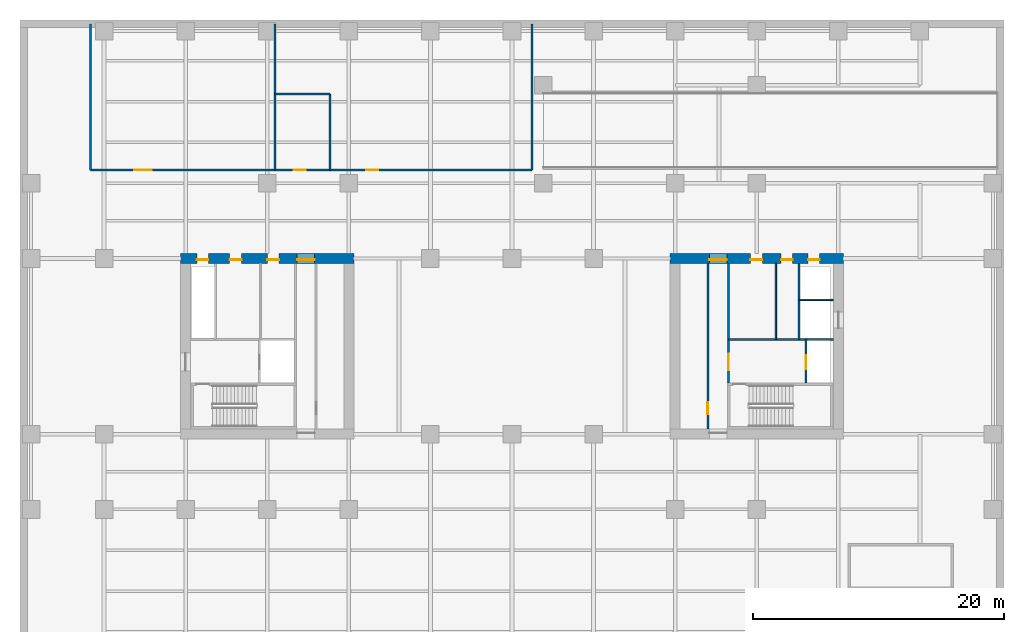
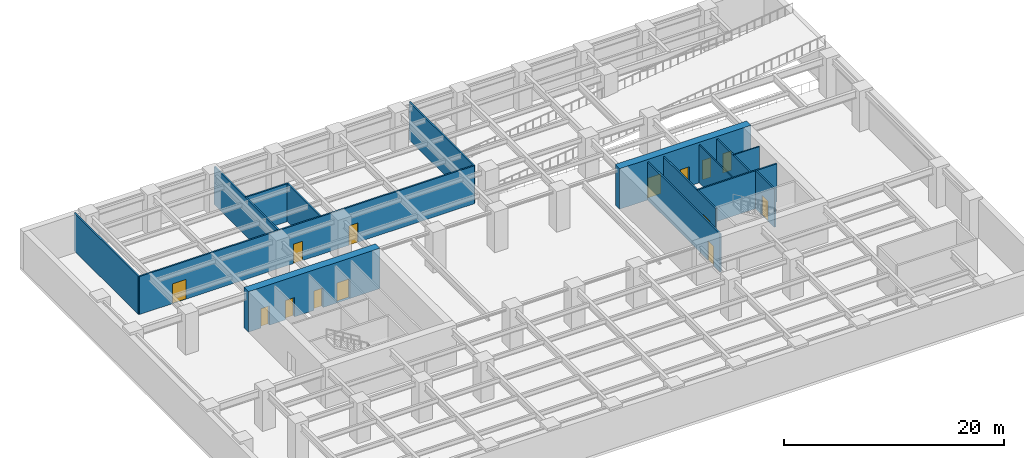
# One storey, part 6 of 10: 15 walls, 14 doors, 14 openings.
"""IFC4 building model written with IfcOpenShell, lengths in metres."""

from ifc_helpers import new_model, si_unit, direction, frame, frame_2d, origin, place, context, subcontext, project, spatial, rectangle, extrude, material, layer, layer_set, type_object, element, fill, save


model = new_model("IFC4")

# Units and contexts
model_context = context("Model", 3, precision=1e-05, world=origin(), true_north=direction((0.0, 1.0)))
body_context = subcontext(model_context, "Body", "Model", "MODEL_VIEW")
ifc_project = project(units=[si_unit("LENGTHUNIT", "METRE"), si_unit("AREAUNIT", "SQUARE_METRE"), si_unit("VOLUMEUNIT", "CUBIC_METRE"), si_unit("PLANEANGLEUNIT", "RADIAN"), si_unit("MASSUNIT", "GRAM", prefix="KILO")], contexts=[model_context])

# Site, building, storey
site_placement = place(None, origin())
site = spatial("IfcSite", under=ifc_project, at=site_placement, CompositionType="ELEMENT")
building_placement = place(site_placement, origin())
building = spatial("IfcBuilding", under=site, at=building_placement, Name="Putna Gate Headquarters", CompositionType="ELEMENT")
storey_placement = place(building_placement, frame((0.0, 0.0, -4.5)))
storey = spatial("IfcBuildingStorey", under=building, at=storey_placement, Name="B01", CompositionType="ELEMENT", Elevation=-4.5)

# Wall, openings, doors
ifc_material_1 = material(Name="Concrete C60/75", Category="concrete")
ifc_layer_1 = layer(ifc_material_1, 0.800048828125)
ifc_layer_set_1 = layer_set([ifc_layer_1], Name="Concrete C60/75")
wall_type_1 = type_object("IfcWallType", Name="WALL-CORE-800", PredefinedType="SHEAR", material=ifc_layer_set_1)
wall_1_placement = place(storey_placement, frame((12.60009765625, 33.0, 0.0), z_axis=(0.0, 0.0, 1.0), x_axis=(1.0, 0.0, 0.0)))
wall_1 = element("IfcWall", 1, at=wall_1_placement, inside=storey, type_object=wall_type_1, Name="B01 WC Split Core Shear Wall N", PredefinedType="SHEAR", context=body_context, shape_type="SweptSolid", body=[
    extrude(rectangle(XDim=13.7998046875, YDim=0.800048828125, at=frame_2d((6.89990234375, 0.0))), origin(), (0.0, 0.0, 1.0), 4.5),
])
opening_1_placement = place(wall_1_placement, frame((1.300048828125, 0.0, 0.0)))
opening_1 = element("IfcOpeningElement", 2, at=opening_1_placement, cuts=wall_1, Name="Opening RD-90", PredefinedType="OPENING", context=body_context, shape_type="SweptSolid", body=[
    extrude(rectangle(XDim=0.89990234375, YDim=2.14990234375, at=frame_2d((0.449951171875, 1.074951171875))), frame((0.0, 0.409912109375, 0.0), z_axis=(0.0, -1.0, 0.0), x_axis=(1.0, 0.0, 0.0)), (0.0, 0.0, 1.0), 0.820068359375),
])
opening_2_placement = place(wall_1_placement, frame((3.89990234375, 0.0, 0.0)))
opening_2 = element("IfcOpeningElement", 3, at=opening_2_placement, cuts=wall_1, Name="Opening IDS-95", PredefinedType="OPENING", context=body_context, shape_type="SweptSolid", body=[
    extrude(rectangle(XDim=0.949951171875, YDim=2.14990234375, at=frame_2d((0.47509765625, 1.074951171875))), frame((0.0, 0.409912109375, 0.0), z_axis=(0.0, -1.0, 0.0), x_axis=(1.0, 0.0, 0.0)), (0.0, 0.0, 1.0), 0.820068359375),
])
opening_3_placement = place(wall_1_placement, frame((6.89990234375, 0.0, 0.0)))
opening_3 = element("IfcOpeningElement", 4, at=opening_3_placement, cuts=wall_1, Name="Opening IDS-95", PredefinedType="OPENING", context=body_context, shape_type="SweptSolid", body=[
    extrude(rectangle(XDim=0.949951171875, YDim=2.14990234375, at=frame_2d((0.47509765625, 1.074951171875))), frame((0.0, 0.409912109375, 0.0), z_axis=(0.0, -1.0, 0.0), x_axis=(1.0, 0.0, 0.0)), (0.0, 0.0, 1.0), 0.820068359375),
])
opening_4_placement = place(wall_1_placement, frame((9.280029296875, 0.0, 0.0)))
opening_4 = element("IfcOpeningElement", 5, at=opening_4_placement, cuts=wall_1, Name="Opening FDD-140", PredefinedType="OPENING", context=body_context, shape_type="SweptSolid", body=[
    extrude(rectangle(XDim=1.39990234375, YDim=2.199951171875, at=frame_2d((0.699951171875, 1.10009765625))), frame((0.0, 0.409912109375, 0.0), z_axis=(0.0, -1.0, 0.0), x_axis=(1.0, 0.0, 0.0)), (0.0, 0.0, 1.0), 0.820068359375),
])
ifc_material_2 = material(Name="Double steel fire door", Category="steel")
door_type_1 = type_object("IfcDoorType", Name="DOOR-FIRE-DBL-1400", OperationType="DOUBLE_DOOR_SINGLE_SWING", PredefinedType="DOOR", material=ifc_material_2)
door_1_placement = place(opening_4_placement, origin())
door_1 = element("IfcDoor", 6, at=door_1_placement, inside=storey, type_object=door_type_1, Name="B01 West Lift Lobby North Door", OperationType="DOUBLE_DOOR_SINGLE_SWING", OverallHeight=2.199951171875, OverallWidth=1.39990234375, PredefinedType="DOOR", context=body_context, shape_type="SweptSolid", body=[
    extrude(rectangle(XDim=1.39990234375, YDim=2.199951171875, at=frame_2d((0.699951171875, 1.10009765625))), frame((0.0, -0.0751953125, 0.0), z_axis=(0.0, -1.0, 0.0), x_axis=(1.0, 0.0, 0.0)), (0.0, 0.0, 1.0), 0.050048828125),
])
fill(opening_4, door_1)
ifc_material_3 = material(Name="Fire-rated service timber door", Category="wood")
door_type_2 = type_object("IfcDoorType", Name="DOOR-INT-950", OperationType="NOTDEFINED", PredefinedType="DOOR", material=ifc_material_3)
door_2_placement = place(opening_2_placement, origin())
door_2 = element("IfcDoor", 7, at=door_2_placement, inside=storey, type_object=door_type_2, Name="B01 Cleaner Store Door", OperationType="SINGLE_SWING_LEFT", OverallHeight=2.14990234375, OverallWidth=0.949951171875, PredefinedType="DOOR", context=body_context, shape_type="SweptSolid", body=[
    extrude(rectangle(XDim=0.949951171875, YDim=2.14990234375, at=frame_2d((0.47509765625, 1.074951171875))), frame((0.0, -0.0751953125, 0.0), z_axis=(0.0, -1.0, 0.0), x_axis=(1.0, 0.0, 0.0)), (0.0, 0.0, 1.0), 0.050048828125),
])
fill(opening_2, door_2)
door_3_placement = place(opening_3_placement, origin())
door_3 = element("IfcDoor", 8, at=door_3_placement, inside=storey, type_object=door_type_2, Name="B01 Comms Plant Door", OperationType="SINGLE_SWING_RIGHT", OverallHeight=2.14990234375, OverallWidth=0.949951171875, PredefinedType="DOOR", context=body_context, shape_type="SweptSolid", body=[
    extrude(rectangle(XDim=0.949951171875, YDim=2.14990234375, at=frame_2d((0.47509765625, 1.074951171875))), frame((0.0, -0.0751953125, 0.0), z_axis=(0.0, -1.0, 0.0), x_axis=(1.0, 0.0, 0.0)), (0.0, 0.0, 1.0), 0.050048828125),
])
fill(opening_3, door_3)
ifc_material_4 = material(Name="Steel riser access fire door", Category="steel")
door_type_3 = type_object("IfcDoorType", Name="DOOR-RISER-900", OperationType="NOTDEFINED", PredefinedType="DOOR", material=ifc_material_4)
door_4_placement = place(opening_1_placement, origin())
door_4 = element("IfcDoor", 9, at=door_4_placement, inside=storey, type_object=door_type_3, Name="B01 West Riser Access Door", OperationType="SINGLE_SWING_RIGHT", OverallHeight=2.14990234375, OverallWidth=0.89990234375, PredefinedType="DOOR", context=body_context, shape_type="SweptSolid", body=[
    extrude(rectangle(XDim=0.89990234375, YDim=2.14990234375, at=frame_2d((0.449951171875, 1.074951171875))), frame((0.0, -0.0751953125, 0.0), z_axis=(0.0, -1.0, 0.0), x_axis=(1.0, 0.0, 0.0)), (0.0, 0.0, 1.0), 0.050048828125),
])
fill(opening_1, door_4)

wall_2_placement = place(storey_placement, frame((51.60009765625, 33.0, 0.0), z_axis=(0.0, 0.0, 1.0), x_axis=(1.0, 0.0, 0.0)))
wall_2 = element("IfcWall", 10, at=wall_2_placement, inside=storey, type_object=wall_type_1, Name="B01 EC Split Core Shear Wall N", PredefinedType="SHEAR", context=body_context, shape_type="SweptSolid", body=[
    extrude(rectangle(XDim=13.7998046875, YDim=0.800048828125, at=frame_2d((6.89990234375, 0.0))), origin(), (0.0, 0.0, 1.0), 4.5),
])
opening_5_placement = place(wall_2_placement, frame((3.1201171875, 0.0, 0.0)))
opening_5 = element("IfcOpeningElement", 11, at=opening_5_placement, cuts=wall_2, Name="Opening FDD-140", PredefinedType="OPENING", context=body_context, shape_type="SweptSolid", body=[
    extrude(rectangle(XDim=1.39990234375, YDim=2.199951171875, at=frame_2d((0.699951171875, 1.10009765625))), frame((0.0, 0.409912109375, 0.0), z_axis=(0.0, -1.0, 0.0), x_axis=(1.0, 0.0, 0.0)), (0.0, 0.0, 1.0), 0.820068359375),
])
opening_6_placement = place(wall_2_placement, frame((11.0, 0.0, 0.0)))
opening_6 = element("IfcOpeningElement", 12, at=opening_6_placement, cuts=wall_2, Name="Opening RD-90", PredefinedType="OPENING", context=body_context, shape_type="SweptSolid", body=[
    extrude(rectangle(XDim=0.89990234375, YDim=2.14990234375, at=frame_2d((0.449951171875, 1.074951171875))), frame((0.0, 0.409912109375, 0.0), z_axis=(0.0, -1.0, 0.0), x_axis=(1.0, 0.0, 0.0)), (0.0, 0.0, 1.0), 0.820068359375),
])
opening_7_placement = place(wall_2_placement, frame((6.39990234375, 0.0, 0.0)))
opening_7 = element("IfcOpeningElement", 13, at=opening_7_placement, cuts=wall_2, Name="Opening IDS-95", PredefinedType="OPENING", context=body_context, shape_type="SweptSolid", body=[
    extrude(rectangle(XDim=0.949951171875, YDim=2.14990234375, at=frame_2d((0.47509765625, 1.074951171875))), frame((0.0, 0.409912109375, 0.0), z_axis=(0.0, -1.0, 0.0), x_axis=(1.0, 0.0, 0.0)), (0.0, 0.0, 1.0), 0.820068359375),
])
opening_8_placement = place(wall_2_placement, frame((8.85009765625, 0.0, 0.0)))
opening_8 = element("IfcOpeningElement", 14, at=opening_8_placement, cuts=wall_2, Name="Opening IDS-90", PredefinedType="OPENING", context=body_context, shape_type="SweptSolid", body=[
    extrude(rectangle(XDim=0.89990234375, YDim=2.14990234375, at=frame_2d((0.449951171875, 1.074951171875))), frame((0.0, 0.409912109375, 0.0), z_axis=(0.0, -1.0, 0.0), x_axis=(1.0, 0.0, 0.0)), (0.0, 0.0, 1.0), 0.820068359375),
])
door_5_placement = place(opening_5_placement, origin())
door_5 = element("IfcDoor", 15, at=door_5_placement, inside=storey, type_object=door_type_1, Name="B01 East Lift Lobby North Door", OperationType="DOUBLE_DOOR_SINGLE_SWING", OverallHeight=2.199951171875, OverallWidth=1.39990234375, PredefinedType="DOOR", context=body_context, shape_type="SweptSolid", body=[
    extrude(rectangle(XDim=1.39990234375, YDim=2.199951171875, at=frame_2d((0.699951171875, 1.10009765625))), frame((0.0, -0.0751953125, 0.0), z_axis=(0.0, -1.0, 0.0), x_axis=(1.0, 0.0, 0.0)), (0.0, 0.0, 1.0), 0.050048828125),
])
fill(opening_5, door_5)
ifc_material_5 = material(Name="Fire-rated utility door")
door_type_4 = type_object("IfcDoorType", Name="DOOR-INT-900", OperationType="NOTDEFINED", PredefinedType="DOOR", material=ifc_material_5)
door_6_placement = place(opening_8_placement, origin())
door_6 = element("IfcDoor", 16, at=door_6_placement, inside=storey, type_object=door_type_4, Name="B01 Electrical Plant Door", OperationType="SINGLE_SWING_LEFT", OverallHeight=2.14990234375, OverallWidth=0.89990234375, PredefinedType="DOOR", context=body_context, shape_type="SweptSolid", body=[
    extrude(rectangle(XDim=0.89990234375, YDim=2.14990234375, at=frame_2d((0.449951171875, 1.074951171875))), frame((0.0, -0.0751953125, 0.0), z_axis=(0.0, -1.0, 0.0), x_axis=(1.0, 0.0, 0.0)), (0.0, 0.0, 1.0), 0.050048828125),
])
fill(opening_8, door_6)
door_7_placement = place(opening_7_placement, origin())
door_7 = element("IfcDoor", 17, at=door_7_placement, inside=storey, type_object=door_type_2, Name="B01 East Store Door", OperationType="SINGLE_SWING_RIGHT", OverallHeight=2.14990234375, OverallWidth=0.949951171875, PredefinedType="DOOR", context=body_context, shape_type="SweptSolid", body=[
    extrude(rectangle(XDim=0.949951171875, YDim=2.14990234375, at=frame_2d((0.47509765625, 1.074951171875))), frame((0.0, -0.0751953125, 0.0), z_axis=(0.0, -1.0, 0.0), x_axis=(1.0, 0.0, 0.0)), (0.0, 0.0, 1.0), 0.050048828125),
])
fill(opening_7, door_7)
door_8_placement = place(opening_6_placement, origin())
door_8 = element("IfcDoor", 18, at=door_8_placement, inside=storey, type_object=door_type_3, Name="B01 East Riser Access Door", OperationType="SINGLE_SWING_LEFT", OverallHeight=2.14990234375, OverallWidth=0.89990234375, PredefinedType="DOOR", context=body_context, shape_type="SweptSolid", body=[
    extrude(rectangle(XDim=0.89990234375, YDim=2.14990234375, at=frame_2d((0.449951171875, 1.074951171875))), frame((0.0, -0.0751953125, 0.0), z_axis=(0.0, -1.0, 0.0), x_axis=(1.0, 0.0, 0.0)), (0.0, 0.0, 1.0), 0.050048828125),
])
fill(opening_6, door_8)

# Walls
ifc_material_6 = material(Name="Fire-rated shaftwall gypsum board on metal stud")
ifc_layer_2 = layer(ifc_material_6, 0.1201171875)
ifc_layer_set_2 = layer_set([ifc_layer_2], Name="Fire-rated shaftwall gypsum board on metal stud")
wall_type_2 = type_object("IfcWallType", Name="WALL-PART-120-EI120", PredefinedType="PARTITIONING", material=ifc_layer_set_2)
wall_3_placement = place(storey_placement, frame((61.8701171875, 29.699951171875, 0.0), z_axis=(0.0, 0.0, 1.0), x_axis=(1.0, 0.0, 0.0)))
element("IfcWall", 19, at=wall_3_placement, inside=storey, type_object=wall_type_2, Name="B01 Interior Wall CWINT-B01-EC-LF15-N", PredefinedType="PARTITIONING", context=body_context, shape_type="SweptSolid", body=[
    extrude(rectangle(XDim=2.72998046875, YDim=0.1201171875, at=frame_2d((1.364990234375, 0.0))), origin(), (0.0, 0.0, 1.0), 4.219970703125),
])
ifc_material_7 = material(Name="Fire-rated gypsum board on metal stud")
ifc_layer_3 = layer(ifc_material_7, 0.1201171875)
ifc_layer_set_3 = layer_set([ifc_layer_3], Name="Fire-rated gypsum board on metal stud")
wall_type_3 = type_object("IfcWallType", Name="WALL-PART-120-RATED", PredefinedType="PARTITIONING", material=ifc_layer_set_3)
wall_4_placement = place(storey_placement, frame((60.02001953125, 26.56005859375, 0.0), z_axis=(0.0, 0.0, 1.0), x_axis=(0.0, 1.0, 0.0)))
element("IfcWall", 20, at=wall_4_placement, inside=storey, type_object=wall_type_3, Name="B01 Interior Wall CWINT-B01-EC-K0-DIV", PredefinedType="PARTITIONING", context=body_context, shape_type="SweptSolid", body=[
    extrude(rectangle(XDim=6.0400390625, YDim=0.1201171875, at=frame_2d((3.02001953125, 0.0))), origin(), (0.0, 0.0, 1.0), 4.219970703125),
])

# Wall, opening, door
ifc_material_8 = material(Name="Concrete C40/50", Category="concrete")
ifc_layer_4 = layer(ifc_material_8, 0.159912109375)
ifc_layer_set_4 = layer_set([ifc_layer_4], Name="Concrete C40/50")
wall_type_4 = type_object("IfcWallType", Name="WALL-SHAFT-160", PredefinedType="STANDARD", material=ifc_layer_set_4)
wall_5_placement = place(storey_placement, frame((54.60009765625, 19.39990234375, 0.0), z_axis=(0.0, 0.0, 1.0), x_axis=(0.0, 1.0, 0.0)))
wall_5 = element("IfcWall", 21, at=wall_5_placement, inside=storey, type_object=wall_type_4, Name="B01 Interior Wall CWINT-B01-EC-PL-WALL", PredefinedType="STANDARD", context=body_context, shape_type="SweptSolid", body=[
    extrude(rectangle(XDim=13.2001953125, YDim=0.159912109375, at=frame_2d((6.60009765625, 0.0))), origin(), (0.0, 0.0, 1.0), 4.219970703125),
])
opening_9_placement = place(wall_5_placement, frame((1.199951171875, 0.0, 0.0)))
opening_9 = element("IfcOpeningElement", 22, at=opening_9_placement, cuts=wall_5, Name="Opening IDS-95F", PredefinedType="OPENING", context=body_context, shape_type="SweptSolid", body=[
    extrude(rectangle(XDim=0.949951171875, YDim=2.14990234375, at=frame_2d((0.47509765625, 1.074951171875))), frame((0.0, 0.08984375, 0.0), z_axis=(0.0, -1.0, 0.0), x_axis=(1.0, 0.0, 0.0)), (0.0, 0.0, 1.0), 0.179931640625),
])
ifc_material_9 = material(Name="Steel-faced fire door", Category="steel")
door_type_5 = type_object("IfcDoorType", Name="DOOR-INT-950-EI90", OperationType="NOTDEFINED", PredefinedType="DOOR", material=ifc_material_9)
door_9_placement = place(opening_9_placement, origin())
door_9 = element("IfcDoor", 23, at=door_9_placement, inside=storey, type_object=door_type_5, Name="B01 Substructure Equipment East Door", OperationType="SINGLE_SWING_LEFT", OverallHeight=2.14990234375, OverallWidth=0.949951171875, PredefinedType="DOOR", context=body_context, shape_type="SweptSolid", body=[
    extrude(rectangle(XDim=0.949951171875, YDim=2.14990234375, at=frame_2d((0.47509765625, 1.074951171875))), frame((0.0, 0.02490234375, 0.0), z_axis=(0.0, -1.0, 0.0), x_axis=(1.0, 0.0, 0.0)), (0.0, 0.0, 1.0), 0.050048828125),
])
fill(opening_9, door_9)

wall_6_placement = place(storey_placement, frame((56.260009765625, 23.090087890625, 0.0), z_axis=(0.0, 0.0, 1.0), x_axis=(0.0, 1.0, 0.0)))
wall_6 = element("IfcWall", 24, at=wall_6_placement, inside=storey, type_object=wall_type_4, Name="B01 Interior Wall CWINT-B01-EC-LOB-E", PredefinedType="STANDARD", context=body_context, shape_type="SweptSolid", body=[
    extrude(rectangle(XDim=9.510009765625, YDim=0.159912109375, at=frame_2d((4.7548828125, 0.0))), origin(), (0.0, 0.0, 1.0), 4.219970703125),
])
opening_10_placement = place(wall_6_placement, frame((1.010009765625, 0.0, 0.0)))
opening_10 = element("IfcOpeningElement", 25, at=opening_10_placement, cuts=wall_6, Name="Opening FDD-130", PredefinedType="OPENING", context=body_context, shape_type="SweptSolid", body=[
    extrude(rectangle(XDim=1.300048828125, YDim=2.199951171875, at=frame_2d((0.64990234375, 1.10009765625))), frame((0.0, 0.08984375, 0.0), z_axis=(0.0, -1.0, 0.0), x_axis=(1.0, 0.0, 0.0)), (0.0, 0.0, 1.0), 0.179931640625),
])
ifc_material_10 = material(Name="Double steel lobby fire door", Category="steel")
door_type_6 = type_object("IfcDoorType", Name="DOOR-FIRE-DBL-1300", OperationType="DOUBLE_DOOR_SINGLE_SWING", PredefinedType="DOOR", material=ifc_material_10)
door_10_placement = place(opening_10_placement, origin())
door_10 = element("IfcDoor", 26, at=door_10_placement, inside=storey, type_object=door_type_6, Name="B01 East Firefighting Lobby Door", OperationType="DOUBLE_DOOR_SINGLE_SWING", OverallHeight=2.199951171875, OverallWidth=1.300048828125, PredefinedType="DOOR", context=body_context, shape_type="SweptSolid", body=[
    extrude(rectangle(XDim=1.300048828125, YDim=2.199951171875, at=frame_2d((0.64990234375, 1.10009765625))), frame((0.0, 0.02490234375, 0.0), z_axis=(0.0, -1.0, 0.0), x_axis=(1.0, 0.0, 0.0)), (0.0, 0.0, 1.0), 0.050048828125),
])
fill(opening_10, door_10)

wall_7_placement = place(storey_placement, frame((62.429931640625, 23.090087890625, 0.0), z_axis=(0.0, 0.0, 1.0), x_axis=(0.0, 1.0, 0.0)))
wall_7 = element("IfcWall", 27, at=wall_7_placement, inside=storey, type_object=wall_type_4, Name="B01 Interior Wall CWINT-B01-EC-LF14-W", PredefinedType="STANDARD", context=body_context, shape_type="SweptSolid", body=[
    extrude(rectangle(XDim=3.469970703125, YDim=0.159912109375, at=frame_2d((1.73486328125, 0.0))), origin(), (0.0, 0.0, 1.0), 4.219970703125),
])
opening_11_placement = place(wall_7_placement, frame((1.10009765625, 0.0, 0.0)))
opening_11 = element("IfcOpeningElement", 28, at=opening_11_placement, cuts=wall_7, Name="Opening LD-1", PredefinedType="OPENING", context=body_context, shape_type="SweptSolid", body=[
    extrude(rectangle(XDim=1.10009765625, YDim=2.199951171875, at=frame_2d((0.550048828125, 1.10009765625))), frame((0.0, 0.08984375, 0.0), z_axis=(0.0, -1.0, 0.0), x_axis=(1.0, 0.0, 0.0)), (0.0, 0.0, 1.0), 0.179931640625),
])
ifc_material_11 = material(Name="Brushed bronze stainless lift landing door")
door_type_7 = type_object("IfcDoorType", Name="DOOR-LIFT-1100", OperationType="DOUBLE_DOOR_SLIDING", PredefinedType="DOOR", material=ifc_material_11)
door_11_placement = place(opening_11_placement, origin())
door_11 = element("IfcDoor", 29, at=door_11_placement, inside=storey, type_object=door_type_7, Name="B01 Lift Landing Door LD-14", OperationType="DOUBLE_DOOR_SLIDING", OverallHeight=2.199951171875, OverallWidth=1.10009765625, PredefinedType="DOOR", context=body_context, shape_type="SweptSolid", body=[
    extrude(rectangle(XDim=1.10009765625, YDim=2.199951171875, at=frame_2d((0.550048828125, 1.10009765625))), frame((0.0, 0.02490234375, 0.0), z_axis=(0.0, -1.0, 0.0), x_axis=(1.0, 0.0, 0.0)), (0.0, 0.0, 1.0), 0.050048828125),
])
fill(opening_11, door_11)

# Walls
wall_8_placement = place(storey_placement, frame((56.260009765625, 26.56005859375, 0.0), z_axis=(0.0, 0.0, 1.0), x_axis=(1.0, 0.0, 0.0)))
element("IfcWall", 30, at=wall_8_placement, inside=storey, type_object=wall_type_4, Name="B01 Interior Wall CWINT-B01-EC-FFL-N", PredefinedType="STANDARD", context=body_context, shape_type="SweptSolid", body=[
    extrude(rectangle(XDim=8.340087890625, YDim=0.159912109375, at=frame_2d((4.169921875, 0.0))), origin(), (0.0, 0.0, 1.0), 4.219970703125),
])
wall_9_placement = place(storey_placement, frame((61.8701171875, 26.56005859375, 0.0), z_axis=(0.0, 0.0, 1.0), x_axis=(0.0, 1.0, 0.0)))
element("IfcWall", 31, at=wall_9_placement, inside=storey, type_object=wall_type_4, Name="B01 Interior Wall CWINT-B01-EC-LF15-W", PredefinedType="STANDARD", context=body_context, shape_type="SweptSolid", body=[
    extrude(rectangle(XDim=6.0400390625, YDim=0.159912109375, at=frame_2d((3.02001953125, 0.0))), origin(), (0.0, 0.0, 1.0), 4.219970703125),
])
for number, where, z_axis, x_axis, name in (
    (32, (5.39990234375, 40.050048828125, 0.0), (0.0, 0.0, 1.0), (0.0, 1.0, 0.0), "B01 Interior Wall PART-B01-CYC-W"),
    (33, (20.10009765625, 40.050048828125, 0.0), (0.0, 0.0, 1.0), (0.0, 1.0, 0.0), "B01 Interior Wall PART-B01-DIV1"),
):
    element("IfcWall", number, at=place(storey_placement, frame(where, z_axis=z_axis, x_axis=x_axis)), inside=storey, type_object=wall_type_4, Name=name, PredefinedType="STANDARD", context=body_context, shape_type="SweptSolid", body=[
        extrude(rectangle(XDim=11.64990234375, YDim=0.159912109375, at=frame_2d((5.824951171875, 0.0))), origin(), (0.0, 0.0, 1.0), 4.219970703125),
    ])
wall_10_placement = place(storey_placement, frame((24.5, 40.050048828125, 0.0), z_axis=(0.0, 0.0, 1.0), x_axis=(0.0, 1.0, 0.0)))
element("IfcWall", 34, at=wall_10_placement, inside=storey, type_object=wall_type_4, Name="B01 Interior Wall PART-B01-DIV2", PredefinedType="STANDARD", context=body_context, shape_type="SweptSolid", body=[
    extrude(rectangle(XDim=6.050048828125, YDim=0.159912109375, at=frame_2d((3.02490234375, 0.0))), origin(), (0.0, 0.0, 1.0), 4.219970703125),
])
wall_11_placement = place(storey_placement, frame((20.10009765625, 46.10009765625, 0.0), z_axis=(0.0, 0.0, 1.0), x_axis=(1.0, 0.0, 0.0)))
element("IfcWall", 35, at=wall_11_placement, inside=storey, type_object=wall_type_4, Name="B01 Interior Wall PART-B01-SHW-N", PredefinedType="STANDARD", context=body_context, shape_type="SweptSolid", body=[
    extrude(rectangle(XDim=4.39990234375, YDim=0.159912109375, at=frame_2d((2.199951171875, 0.0))), origin(), (0.0, 0.0, 1.0), 4.219970703125),
])
wall_12_placement = place(storey_placement, frame((40.60009765625, 40.050048828125, 0.0), z_axis=(0.0, 0.0, 1.0), x_axis=(0.0, 1.0, 0.0)))
element("IfcWall", 36, at=wall_12_placement, inside=storey, type_object=wall_type_4, Name="B01 Interior Wall PART-B01-LCK-E", PredefinedType="STANDARD", context=body_context, shape_type="SweptSolid", body=[
    extrude(rectangle(XDim=11.64990234375, YDim=0.159912109375, at=frame_2d((5.824951171875, 0.0))), origin(), (0.0, 0.0, 1.0), 4.219970703125),
])

# Wall, openings, doors
wall_13_placement = place(storey_placement, frame((5.39990234375, 40.050048828125, 0.0), z_axis=(0.0, 0.0, 1.0), x_axis=(1.0, 0.0, 0.0)))
wall_13 = element("IfcWall", 37, at=wall_13_placement, inside=storey, type_object=wall_type_4, Name="B01 Interior Wall PART-B01-NW-CW", PredefinedType="STANDARD", context=body_context, shape_type="SweptSolid", body=[
    extrude(rectangle(XDim=35.2001953125, YDim=0.159912109375, at=frame_2d((17.60009765625, 0.0))), origin(), (0.0, 0.0, 1.0), 4.219970703125),
])
opening_12_placement = place(wall_13_placement, frame((3.5, 0.0, 0.0)))
opening_12 = element("IfcOpeningElement", 38, at=opening_12_placement, cuts=wall_13, Name="Opening FDD-140", PredefinedType="OPENING", context=body_context, shape_type="SweptSolid", body=[
    extrude(rectangle(XDim=1.39990234375, YDim=2.199951171875, at=frame_2d((0.699951171875, 1.10009765625))), frame((0.0, 0.08984375, 0.0), z_axis=(0.0, -1.0, 0.0), x_axis=(1.0, 0.0, 0.0)), (0.0, 0.0, 1.0), 0.179931640625),
])
opening_13_placement = place(wall_13_placement, frame((16.199951171875, 0.0, 0.0)))
opening_13 = element("IfcOpeningElement", 39, at=opening_13_placement, cuts=wall_13, Name="Opening IDS-95", PredefinedType="OPENING", context=body_context, shape_type="SweptSolid", body=[
    extrude(rectangle(XDim=0.949951171875, YDim=2.14990234375, at=frame_2d((0.47509765625, 1.074951171875))), frame((0.0, 0.08984375, 0.0), z_axis=(0.0, -1.0, 0.0), x_axis=(1.0, 0.0, 0.0)), (0.0, 0.0, 1.0), 0.179931640625),
])
opening_14_placement = place(wall_13_placement, frame((22.0, 0.0, 0.0)))
opening_14 = element("IfcOpeningElement", 40, at=opening_14_placement, cuts=wall_13, Name="Opening IDS-95", PredefinedType="OPENING", context=body_context, shape_type="SweptSolid", body=[
    extrude(rectangle(XDim=0.949951171875, YDim=2.14990234375, at=frame_2d((0.47509765625, 1.074951171875))), frame((0.0, 0.08984375, 0.0), z_axis=(0.0, -1.0, 0.0), x_axis=(1.0, 0.0, 0.0)), (0.0, 0.0, 1.0), 0.179931640625),
])
door_12_placement = place(opening_12_placement, origin())
door_12 = element("IfcDoor", 41, at=door_12_placement, inside=storey, type_object=door_type_1, Name="B01 Bicycle Storage Door", OperationType="DOUBLE_DOOR_SINGLE_SWING", OverallHeight=2.199951171875, OverallWidth=1.39990234375, PredefinedType="DOOR", context=body_context, shape_type="SweptSolid", body=[
    extrude(rectangle(XDim=1.39990234375, YDim=2.199951171875, at=frame_2d((0.699951171875, 1.10009765625))), frame((0.0, 0.02490234375, 0.0), z_axis=(0.0, -1.0, 0.0), x_axis=(1.0, 0.0, 0.0)), (0.0, 0.0, 1.0), 0.050048828125),
])
fill(opening_12, door_12)
door_13_placement = place(opening_13_placement, origin())
door_13 = element("IfcDoor", 42, at=door_13_placement, inside=storey, type_object=door_type_2, Name="B01 Shower Room Door", OperationType="SINGLE_SWING_LEFT", OverallHeight=2.14990234375, OverallWidth=0.949951171875, PredefinedType="DOOR", context=body_context, shape_type="SweptSolid", body=[
    extrude(rectangle(XDim=0.949951171875, YDim=2.14990234375, at=frame_2d((0.47509765625, 1.074951171875))), frame((0.0, 0.02490234375, 0.0), z_axis=(0.0, -1.0, 0.0), x_axis=(1.0, 0.0, 0.0)), (0.0, 0.0, 1.0), 0.050048828125),
])
fill(opening_13, door_13)
door_14_placement = place(opening_14_placement, origin())
door_14 = element("IfcDoor", 43, at=door_14_placement, inside=storey, type_object=door_type_2, Name="B01 Locker Room Door", OperationType="SINGLE_SWING_LEFT", OverallHeight=2.14990234375, OverallWidth=0.949951171875, PredefinedType="DOOR", context=body_context, shape_type="SweptSolid", body=[
    extrude(rectangle(XDim=0.949951171875, YDim=2.14990234375, at=frame_2d((0.47509765625, 1.074951171875))), frame((0.0, 0.02490234375, 0.0), z_axis=(0.0, -1.0, 0.0), x_axis=(1.0, 0.0, 0.0)), (0.0, 0.0, 1.0), 0.050048828125),
])
fill(opening_14, door_14)

save(model, "model.ifc")
